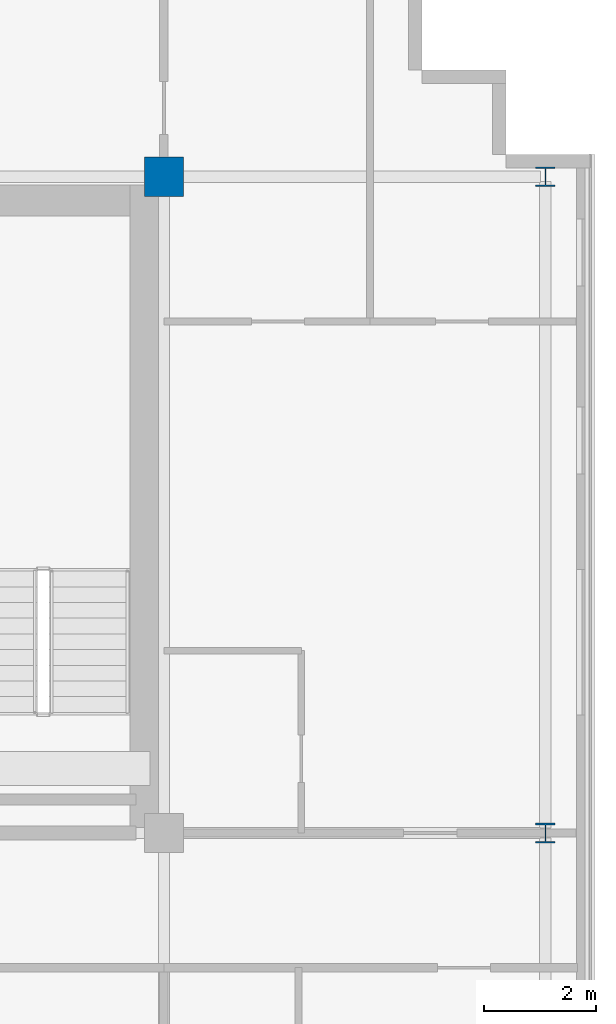
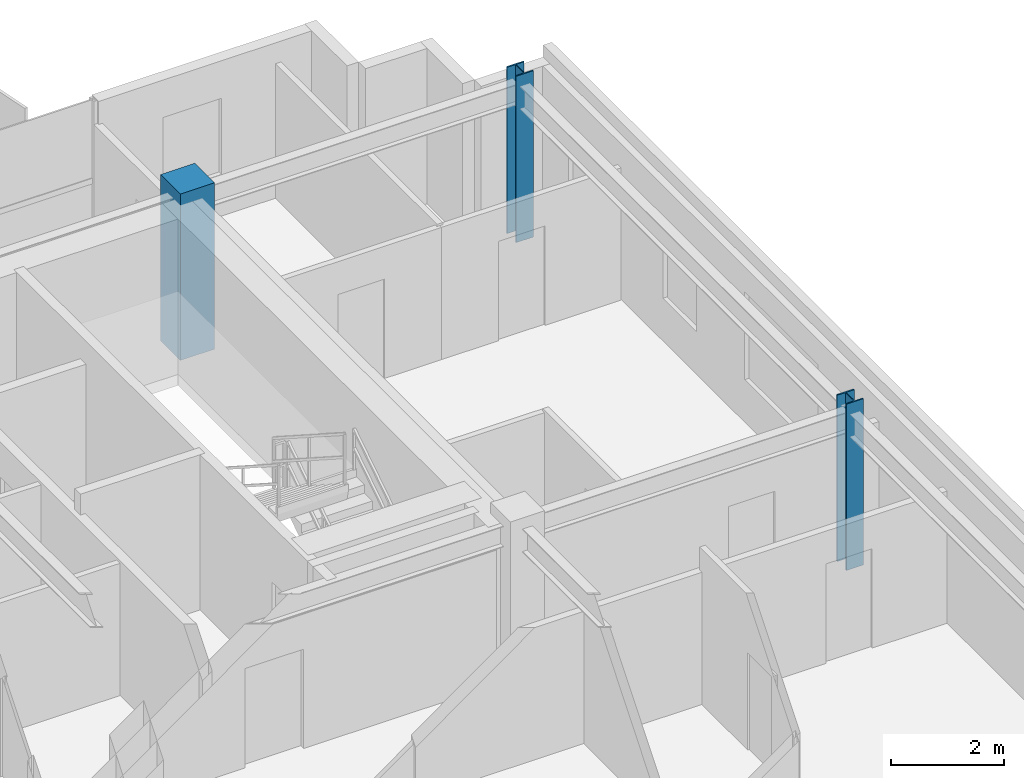
# One storey, part 4 of 23: 3 columns.
"""IFC4 building model written with IfcOpenShell, lengths in metres."""

from ifc_helpers import new_model, si_unit, direction, frame, origin, origin_2d, place, context, subcontext, project, spatial, rectangle, i_section, extrude, source, transform, mapped, material, material_profile, profile_set, type_object, element, save


model = new_model("IFC4")

# Units and contexts
model_context = context("Model", 3, precision=1e-05, world=origin(), true_north=direction((0.0, 1.0)))
body_context = subcontext(model_context, "Body", "Model", "MODEL_VIEW")
ifc_project = project(units=[si_unit("LENGTHUNIT", "METRE"), si_unit("AREAUNIT", "SQUARE_METRE"), si_unit("VOLUMEUNIT", "CUBIC_METRE"), si_unit("PLANEANGLEUNIT", "RADIAN"), si_unit("MASSUNIT", "GRAM", prefix="KILO")], contexts=[model_context])

# Site, building, storey
site_placement = place(None, origin())
site = spatial("IfcSite", under=ifc_project, at=site_placement, CompositionType="ELEMENT")
building_placement = place(site_placement, origin())
building = spatial("IfcBuilding", under=site, at=building_placement, Name="Trelvane Seafront Commons", CompositionType="ELEMENT")
storey_placement = place(building_placement, frame((0.0, 0.0, 222.89990234375)))
storey = spatial("IfcBuildingStorey", under=building, at=storey_placement, Name="L58", CompositionType="ELEMENT", Elevation=222.89990234375)

# Columns
ifc_material_1 = material(Name="Concrete C50/60", Category="concrete")
ifc_material_profile_1 = material_profile(ifc_material_1, rectangle(XDim=0.699951171875, YDim=0.699951171875, at=origin_2d()), Name="RC-700x700")
ifc_profile_set_1 = profile_set([ifc_material_profile_1], Name="Concrete C50/60")
column_type_1 = type_object("IfcColumnType", Name="STR-COL-RC700", PredefinedType="COLUMN", material=ifc_profile_set_1)
shared_shape_1 = source(origin(), body_context, "Body", "SweptSolid", [
    extrude(rectangle(XDim=0.699951171875, YDim=0.699951171875, at=origin_2d()), origin(), (0.0, 0.0, 1.0), 3.60009765625),
])
column_placement = place(storey_placement, frame((58.800048828125, 45.10009765625, 0.0), z_axis=(0.0, 0.0, 1.0), x_axis=(1.0, 0.0, 0.0)))
element("IfcColumn", 1, at=column_placement, inside=storey, type_object=column_type_1, Name="L58 Column TC-CN58.8", PredefinedType="COLUMN", context=body_context, shape_type="MappedRepresentation", body=[
    mapped(shared_shape_1, transform((0.0, 0.0, 0.0), x_axis=(1.0, 0.0, 0.0), y_axis=(0.0, 1.0, 0.0), z_axis=(0.0, 0.0, 1.0), scale=1.0)),
])
ifc_material_2 = material(Name="Steel SM355 (S355)", Category="steel")
ifc_material_profile_2 = material_profile(ifc_material_2, i_section(OverallWidth=0.35009765625, OverallDepth=0.35009765625, WebThickness=0.01806640625, FlangeThickness=0.028076171875, at=origin_2d()), Name="HD-350x350x18x28")
ifc_profile_set_2 = profile_set([ifc_material_profile_2], Name="Steel SM355 (S355)")
column_type_2 = type_object("IfcColumnType", Name="STR-COL-HD350", PredefinedType="COLUMN", material=ifc_profile_set_2)
shared_shape_2 = source(origin(), body_context, "Body", "SweptSolid", [
    extrude(i_section(OverallWidth=0.35009765625, OverallDepth=0.35009765625, WebThickness=0.01806640625, FlangeThickness=0.028076171875, at=origin_2d()), origin(), (0.0, 0.0, 1.0), 3.60009765625),
])
for number, where, z_axis, x_axis, name in (
    (2, (65.60009765625, 33.39990234375, 0.0), (0.0, 0.0, 1.0), (1.0, 0.0, 0.0), "L58 Column TC-CS65.6"),
    (3, (65.60009765625, 45.10009765625, 0.0), (0.0, 0.0, 1.0), (1.0, 0.0, 0.0), "L58 Column TC-CN65.6"),
):
    element("IfcColumn", number, at=place(storey_placement, frame(where, z_axis=z_axis, x_axis=x_axis)), inside=storey, type_object=column_type_2, Name=name, PredefinedType="COLUMN", context=body_context, shape_type="MappedRepresentation", body=[
        mapped(shared_shape_2, transform((0.0, 0.0, 0.0), x_axis=(1.0, 0.0, 0.0), y_axis=(0.0, 1.0, 0.0), z_axis=(0.0, 0.0, 1.0), scale=1.0)),
    ])

save(model, "model.ifc")
